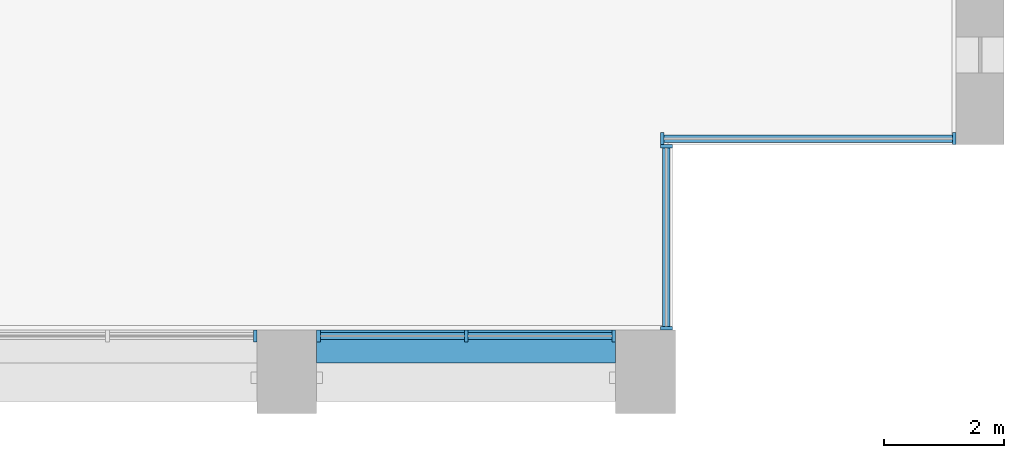
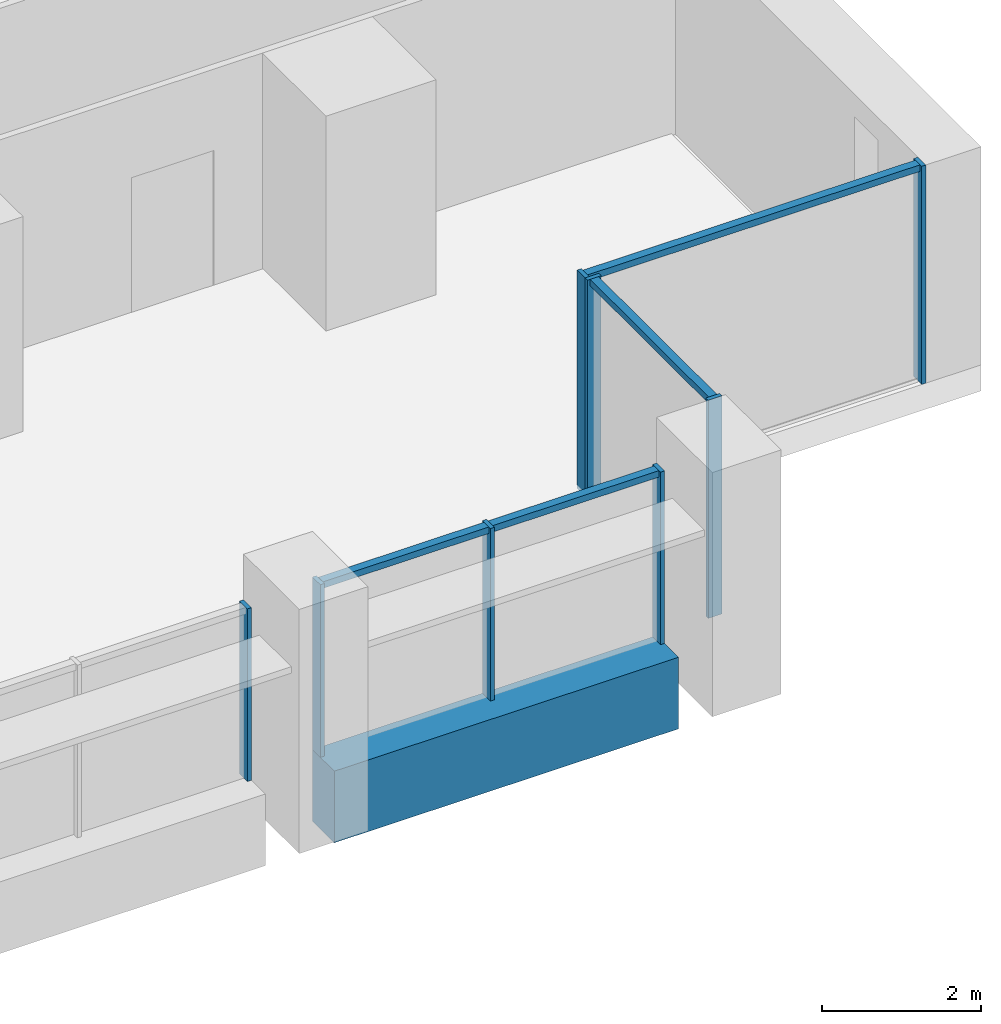
# One storey, part 5 of 17: 12 members, 1 beam, 4 elements without a shape of their own.
"""IFC4 building model written with IfcOpenShell, lengths in metres."""

from ifc_helpers import new_model, si_unit, direction, frame, origin, origin_2d, place, context, subcontext, project, spatial, rectangle, extrude, material, material_profile, profile_set, type_object, element, aggregate, save


model = new_model("IFC4")

# Units and contexts
model_context = context("Model", 3, precision=1e-05, world=origin(), true_north=direction((0.0, 1.0)))
body_context = subcontext(model_context, "Body", "Model", "MODEL_VIEW")
ifc_project = project(units=[si_unit("LENGTHUNIT", "METRE"), si_unit("AREAUNIT", "SQUARE_METRE"), si_unit("VOLUMEUNIT", "CUBIC_METRE"), si_unit("PLANEANGLEUNIT", "RADIAN"), si_unit("MASSUNIT", "GRAM", prefix="KILO")], contexts=[model_context])

# Site, building, storey
site_placement = place(None, origin())
site = spatial("IfcSite", under=ifc_project, at=site_placement, CompositionType="ELEMENT")
building_placement = place(site_placement, origin())
building = spatial("IfcBuilding", under=site, at=building_placement, Name="Calvaro Tower", CompositionType="ELEMENT")
storey_placement = place(building_placement, frame((0.0, 0.0, 67.5)))
storey = spatial("IfcBuildingStorey", under=building, at=storey_placement, Name="L16", CompositionType="ELEMENT", Elevation=67.5)

# Curtain wall, member
ifc_material_1 = material(Name="Anodised aluminium", Category="aluminium")
curtain_wall_type = type_object("IfcCurtainWallType", Name="Office curtain wall, lower zone", PredefinedType="NOTDEFINED", material=ifc_material_1)
curtain_wall_1_placement = place(storey_placement, origin())
curtain_wall_1 = element("IfcCurtainWall", 1, at=curtain_wall_1_placement, inside=storey, type_object=curtain_wall_type, Name="CW1 south curtain wall", PredefinedType="NOTDEFINED")
ifc_material_2 = material(Name="Anodised aluminium", Category="aluminium")
ifc_material_profile_1 = material_profile(ifc_material_2, rectangle(XDim=0.199951171875, YDim=0.06005859375, at=origin_2d()), Name="Mullion S1 60 x 200")
ifc_profile_set_1 = profile_set([ifc_material_profile_1], Name="Anodised aluminium")
member_type_1 = type_object("IfcMemberType", Name="Mullion S1 60 x 200", PredefinedType="MULLION", material=ifc_profile_set_1)
member_1_placement = place(storey_placement, frame((65.469970703125, 1.300048828125, 0.0), z_axis=(0.0, 0.0, 1.0), x_axis=(0.0, 1.0, 0.0)))
member_1 = element("IfcMember", 2, at=member_1_placement, type_object=member_type_1, Name="CW1 mullion 3", PredefinedType="MULLION", context=body_context, shape_type="SweptSolid", body=[
    extrude(rectangle(XDim=0.199951171875, YDim=0.06005859375, at=origin_2d()), origin(), (0.0, 0.0, 1.0), 2.64990234375),
])
aggregate(curtain_wall_1, [member_1])

# Curtain wall, members
curtain_wall_2_placement = place(storey_placement, origin())
curtain_wall_2 = element("IfcCurtainWall", 3, at=curtain_wall_2_placement, inside=storey, type_object=curtain_wall_type, Name="CW1 south curtain wall", PredefinedType="NOTDEFINED")
member_2_placement = place(storey_placement, frame((66.530029296875, 1.300048828125, 0.0), z_axis=(0.0, 0.0, 1.0), x_axis=(0.0, 1.0, 0.0)))
member_2 = element("IfcMember", 4, at=member_2_placement, type_object=member_type_1, Name="CW1 mullion 1", PredefinedType="MULLION", context=body_context, shape_type="SweptSolid", body=[
    extrude(rectangle(XDim=0.199951171875, YDim=0.06005859375, at=origin_2d()), origin(), (0.0, 0.0, 1.0), 2.64990234375),
])
member_3_placement = place(storey_placement, frame((69.0, 1.300048828125, 0.0), z_axis=(0.0, 0.0, 1.0), x_axis=(0.0, 1.0, 0.0)))
member_3 = element("IfcMember", 5, at=member_3_placement, type_object=member_type_1, Name="CW1 mullion 2", PredefinedType="MULLION", context=body_context, shape_type="SweptSolid", body=[
    extrude(rectangle(XDim=0.199951171875, YDim=0.06005859375, at=origin_2d()), origin(), (0.0, 0.0, 1.0), 2.64990234375),
])
member_4_placement = place(storey_placement, frame((71.469970703125, 1.300048828125, 0.0), z_axis=(0.0, 0.0, 1.0), x_axis=(0.0, 1.0, 0.0)))
member_4 = element("IfcMember", 6, at=member_4_placement, type_object=member_type_1, Name="CW1 mullion 3", PredefinedType="MULLION", context=body_context, shape_type="SweptSolid", body=[
    extrude(rectangle(XDim=0.199951171875, YDim=0.06005859375, at=origin_2d()), origin(), (0.0, 0.0, 1.0), 2.64990234375),
])

curtain_wall_3_placement = place(storey_placement, origin())
curtain_wall_3 = element("IfcCurtainWall", 7, at=curtain_wall_3_placement, inside=storey, type_object=curtain_wall_type, Name="CW1 corner curtain wall", PredefinedType="NOTDEFINED")
member_5_placement = place(storey_placement, frame((72.35009765625, 1.429931640625, 0.0), z_axis=(0.0, 0.0, 1.0), x_axis=(-1.0, 0.0, 0.0)))
member_5 = element("IfcMember", 8, at=member_5_placement, type_object=member_type_1, Name="CW1 mullion 1", PredefinedType="MULLION", context=body_context, shape_type="SweptSolid", body=[
    extrude(rectangle(XDim=0.199951171875, YDim=0.06005859375, at=origin_2d()), origin(), (0.0, 0.0, 1.0), 3.35009765625),
])
member_6_placement = place(storey_placement, frame((72.35009765625, 4.469970703125, 0.0), z_axis=(0.0, 0.0, 1.0), x_axis=(-1.0, 0.0, 0.0)))
member_6 = element("IfcMember", 9, at=member_6_placement, type_object=member_type_1, Name="CW1 mullion 2", PredefinedType="MULLION", context=body_context, shape_type="SweptSolid", body=[
    extrude(rectangle(XDim=0.199951171875, YDim=0.06005859375, at=origin_2d()), origin(), (0.0, 0.0, 1.0), 3.35009765625),
])

curtain_wall_4_placement = place(storey_placement, origin())
curtain_wall_4 = element("IfcCurtainWall", 10, at=curtain_wall_4_placement, inside=storey, type_object=curtain_wall_type, Name="CW1 corner curtain wall", PredefinedType="NOTDEFINED")
member_7_placement = place(storey_placement, frame((72.280029296875, 4.60009765625, 0.0), z_axis=(0.0, 0.0, 1.0), x_axis=(0.0, 1.0, 0.0)))
member_7 = element("IfcMember", 11, at=member_7_placement, type_object=member_type_1, Name="CW1 mullion 1", PredefinedType="MULLION", context=body_context, shape_type="SweptSolid", body=[
    extrude(rectangle(XDim=0.199951171875, YDim=0.06005859375, at=origin_2d()), origin(), (0.0, 0.0, 1.0), 3.35009765625),
])
member_8_placement = place(storey_placement, frame((77.169921875, 4.60009765625, 0.0), z_axis=(0.0, 0.0, 1.0), x_axis=(0.0, 1.0, 0.0)))
member_8 = element("IfcMember", 12, at=member_8_placement, type_object=member_type_1, Name="CW1 mullion 2", PredefinedType="MULLION", context=body_context, shape_type="SweptSolid", body=[
    extrude(rectangle(XDim=0.199951171875, YDim=0.06005859375, at=origin_2d()), origin(), (0.0, 0.0, 1.0), 3.35009765625),
])

# Beam
ifc_material_3 = material(Name="Concrete C50/60 precast", Category="concrete")
ifc_material_profile_2 = material_profile(ifc_material_3, rectangle(XDim=0.550048828125, YDim=1.10009765625, at=origin_2d()), Name="RC 550x1100")
ifc_profile_set_2 = profile_set([ifc_material_profile_2], Name="Concrete C50/60 precast")
beam_type = type_object("IfcBeamType", Name="Spandrel beam 550x1100 C50/60", PredefinedType="SPANDREL", material=ifc_profile_set_2)
beam_placement = place(storey_placement, frame((66.5, 1.125, -0.550048828125), z_axis=(1.0, 0.0, 0.0), x_axis=(0.0, 1.0, 0.0)))
element("IfcBeam", 13, at=beam_placement, inside=storey, type_object=beam_type, Name="Spandrel beam", PredefinedType="SPANDREL", context=body_context, shape_type="SweptSolid", body=[
    extrude(rectangle(XDim=0.550048828125, YDim=1.10009765625, at=origin_2d()), origin(), (0.0, 0.0, 1.0), 5.0),
])

# Member
ifc_material_4 = material(Name="Anodised aluminium", Category="aluminium")
ifc_material_profile_3 = material_profile(ifc_material_4, rectangle(XDim=0.1201171875, YDim=0.10009765625, at=origin_2d()), Name="Transom S1 100 x 120")
ifc_profile_set_3 = profile_set([ifc_material_profile_3], Name="Anodised aluminium")
member_type_2 = type_object("IfcMemberType", Name="Transom S1 100 x 120", PredefinedType="USERDEFINED", material=ifc_profile_set_3)
member_9_placement = place(storey_placement, frame((66.56005859375, 1.300048828125, 2.60009765625), z_axis=(1.0, 0.0, 0.0), x_axis=(0.0, 1.0, 0.0)))
member_9 = element("IfcMember", 14, at=member_9_placement, type_object=member_type_2, Name="CW1 transom 1.1", ObjectType="TRANSOM", PredefinedType="USERDEFINED", context=body_context, shape_type="SweptSolid", body=[
    extrude(rectangle(XDim=0.1201171875, YDim=0.10009765625, at=origin_2d()), origin(), (0.0, 0.0, 1.0), 2.409912109375),
])

member_10_placement = place(storey_placement, frame((69.030029296875, 1.300048828125, 2.60009765625), z_axis=(1.0, 0.0, 0.0), x_axis=(0.0, 1.0, 0.0)))
member_10 = element("IfcMember", 15, at=member_10_placement, type_object=member_type_2, Name="CW1 transom 2.1", ObjectType="TRANSOM", PredefinedType="USERDEFINED", context=body_context, shape_type="SweptSolid", body=[
    extrude(rectangle(XDim=0.1201171875, YDim=0.10009765625, at=origin_2d()), origin(), (0.0, 0.0, 1.0), 2.409912109375),
])

aggregate(curtain_wall_2, [member_2, member_3, member_4, member_9, member_10])

member_11_placement = place(storey_placement, frame((72.35009765625, 1.4599609375, 3.300048828125), z_axis=(0.0, 1.0, 0.0), x_axis=(-1.0, 0.0, 0.0)))
member_11 = element("IfcMember", 16, at=member_11_placement, type_object=member_type_2, Name="CW1 transom 1.1", ObjectType="TRANSOM", PredefinedType="USERDEFINED", context=body_context, shape_type="SweptSolid", body=[
    extrude(rectangle(XDim=0.1201171875, YDim=0.10009765625, at=origin_2d()), origin(), (0.0, 0.0, 1.0), 2.97998046875),
])

aggregate(curtain_wall_3, [member_5, member_6, member_11])

member_12_placement = place(storey_placement, frame((72.31005859375, 4.60009765625, 3.300048828125), z_axis=(1.0, 0.0, 0.0), x_axis=(0.0, 1.0, 0.0)))
member_12 = element("IfcMember", 17, at=member_12_placement, type_object=member_type_2, Name="CW1 transom 1.1", ObjectType="TRANSOM", PredefinedType="USERDEFINED", context=body_context, shape_type="SweptSolid", body=[
    extrude(rectangle(XDim=0.1201171875, YDim=0.10009765625, at=origin_2d()), origin(), (0.0, 0.0, 1.0), 4.829833984375),
])

aggregate(curtain_wall_4, [member_7, member_8, member_12])

save(model, "model.ifc")
